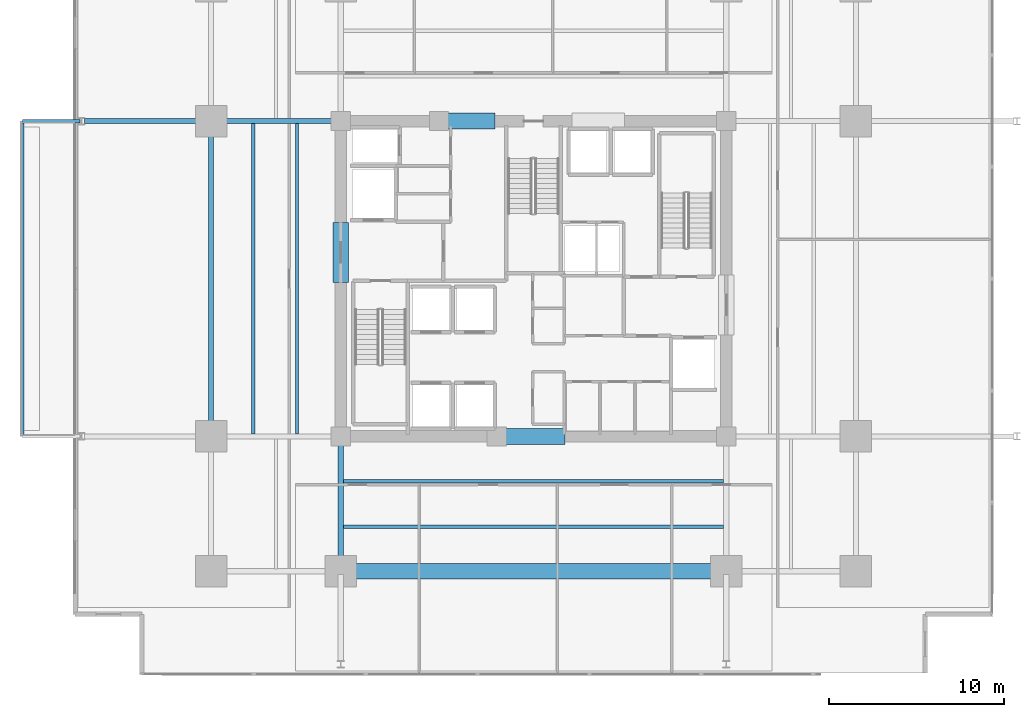
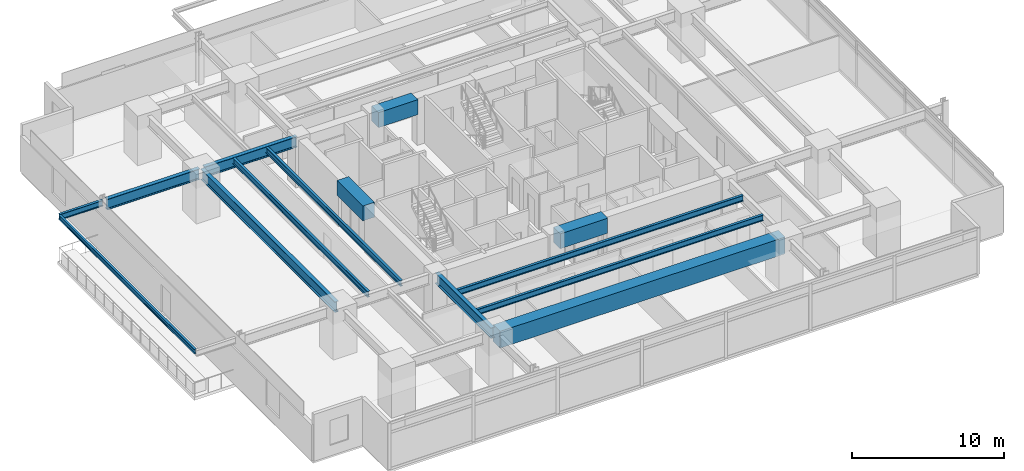
# One storey, part 5 of 20: 14 beams.
"""IFC4 building model written with IfcOpenShell, lengths in metres."""

import ifcopenshell
import ifcopenshell.guid

model = None  # the IFC model being written
_history = None  # IfcOwnerHistory: only IFC2X3 demands one
_inside = {}  # id of a spatial element -> (the spatial element, [elements in it])
_under = {}  # id of a project, library or spatial element -> (it, [spatial elements below it])
_declared = {}  # id of a project -> (the project, [libraries it declares])
_typed = {}  # id of a type object -> (the type object, [elements of that type])
_made_of = {}  # id of a material, layer set ... -> (it, [elements and type objects made of it])


def new_model(schema):
    """Start an empty IFC model of exactly this schema.

    Asked for "IFC4X3", IfcOpenShell would pick the latest addendum, in which some entities
    have other attributes; the version numbers below select the first issue.
    IFC2X3 requires an IfcOwnerHistory on every rooted entity: one is made here for all.
    """
    global model, _history
    if schema == "IFC4X3":
        model = ifcopenshell.file(schema_version=(4, 3, 0, 0))
    else:
        model = ifcopenshell.file(schema=schema)
    _inside.clear()
    _under.clear()
    _declared.clear()
    _typed.clear()
    _made_of.clear()
    _history = None
    if model.schema == "IFC2X3":
        org = make("IfcOrganization", Name="unknown")
        user = make(
            "IfcPersonAndOrganization",
            ThePerson=make("IfcPerson", FamilyName="unknown"),
            TheOrganization=org,
        )
        app = make(
            "IfcApplication",
            ApplicationDeveloper=org,
            Version="unknown",
            ApplicationFullName="unknown",
            ApplicationIdentifier="unknown",
        )
        _history = make(
            "IfcOwnerHistory",
            OwningUser=user,
            OwningApplication=app,
            ChangeAction="ADDED",
            CreationDate=0,
        )
    return model


def make(cls, **values):
    """One entity of the class cls with the attributes given. An attribute that is None is left unset."""
    return model.create_entity(
        cls, **{name: value for name, value in values.items() if value is not None}
    )


def rooted(cls, **values):
    """An entity with a GlobalId (a new one), such as an element, a storey or a relation."""
    return make(cls, GlobalId=ifcopenshell.guid.new(), OwnerHistory=_history, **values)


def si_unit(unit_type, name, prefix=None):
    """IfcSIUnit, for example si_unit("LENGTHUNIT", "METRE", prefix="MILLI")."""
    return make("IfcSIUnit", UnitType=unit_type, Prefix=prefix, Name=name)


def assignment(units):
    """IfcUnitAssignment: the units of a project."""
    return None if units is None else make("IfcUnitAssignment", Units=units)


def point(xyz):
    """IfcCartesianPoint."""
    return None if xyz is None else make("IfcCartesianPoint", Coordinates=xyz)


def direction(xyz):
    """IfcDirection."""
    return None if xyz is None else make("IfcDirection", DirectionRatios=xyz)


def frame(location, z_axis=None, x_axis=None):
    """IfcAxis2Placement3D, a coordinate frame: its origin and axes. An axis left out is left unset."""
    return make(
        "IfcAxis2Placement3D",
        Location=point(location),
        Axis=direction(z_axis),
        RefDirection=direction(x_axis),
    )


def frame_2d(location, x_axis=None):
    """IfcAxis2Placement2D, a coordinate frame in the plane: its origin and x axis."""
    return make(
        "IfcAxis2Placement2D", Location=point(location), RefDirection=direction(x_axis)
    )


def origin():
    """The frame at (0, 0, 0) with its axes left unset."""
    return frame((0.0, 0.0, 0.0))


def origin_2d():
    """The frame at (0, 0) in the plane with its x axis left unset."""
    return frame_2d((0.0, 0.0))


def place(relative_to, where):
    """IfcLocalPlacement: puts the frame where relative to a parent placement (None: the world)."""
    return make(
        "IfcLocalPlacement", PlacementRelTo=relative_to, RelativePlacement=where
    )


def context(
    kind, dimensions, precision=None, world=None, true_north=None, identifier=None
):
    """IfcGeometricRepresentationContext, for example the 3D "Model" context."""
    return make(
        "IfcGeometricRepresentationContext",
        ContextIdentifier=identifier,
        ContextType=kind,
        CoordinateSpaceDimension=dimensions,
        Precision=precision,
        WorldCoordinateSystem=world,
        TrueNorth=true_north,
    )


def subcontext(parent, identifier, kind, view, scale=None):
    """IfcGeometricRepresentationSubContext, for example "Body" below "Model"."""
    return make(
        "IfcGeometricRepresentationSubContext",
        ContextIdentifier=identifier,
        ContextType=kind,
        ParentContext=parent,
        TargetScale=scale,
        TargetView=view,
    )


def project(units=None, contexts=None):
    """IfcProject with its units and contexts."""
    return rooted(
        "IfcProject",
        Name="project",
        RepresentationContexts=contexts,
        UnitsInContext=assignment(units),
    )


def spatial(cls, under=None, at=None, **own):
    """A site, building, storey or space (cls), placed at a placement, below another one or the project."""
    s = rooted(cls, ObjectPlacement=at, **own)
    if under is not None:
        _under.setdefault(under.id(), (under, []))[1].append(s)
    return s


def profile(cls, at=None, kind="AREA", **sizes):
    """A parametric profile (cls). Its sizes go by their IFC names, for example OverallWidth=200.0."""
    return make(cls, ProfileType=kind, Position=at, **sizes)


def rectangle(**sizes):
    """IfcRectangleProfileDef."""
    return profile("IfcRectangleProfileDef", **sizes)


def i_section(**sizes):
    """IfcIShapeProfileDef."""
    return profile("IfcIShapeProfileDef", **sizes)


def extrude(swept, where, along, depth):
    """IfcExtrudedAreaSolid: the profile swept, set in the frame where, extruded along a direction by depth."""
    return make(
        "IfcExtrudedAreaSolid",
        SweptArea=swept,
        Position=where,
        ExtrudedDirection=direction(along),
        Depth=depth,
    )


def shape(context_of_items, identifier, shape_type, items):
    """IfcShapeRepresentation: the items that make up one representation, for example the "Body"."""
    return make(
        "IfcShapeRepresentation",
        ContextOfItems=context_of_items,
        RepresentationIdentifier=identifier,
        RepresentationType=shape_type,
        Items=items,
    )


def material(Name=None, Category=None):
    """IfcMaterial."""
    return make("IfcMaterial", Name=Name, Category=Category)


def material_profile(
    of_material, cross_section, Name=None, Category=None, Priority=None
):
    """IfcMaterialProfile: a cross section and its material."""
    return make(
        "IfcMaterialProfile",
        Name=Name,
        Material=of_material,
        Profile=cross_section,
        Priority=Priority,
        Category=Category,
    )


def profile_set(profiles, Name=None, composite=None):
    """IfcMaterialProfileSet."""
    return make(
        "IfcMaterialProfileSet",
        Name=Name,
        MaterialProfiles=profiles,
        CompositeProfile=composite,
    )


def made_of(thing, what):
    """Note that an element or type object is made of a material, layer set ...; save() writes the relation."""
    if what is not None:
        _made_of.setdefault(what.id(), (what, []))[1].append(thing)
    return thing


def type_object(cls, material=None, **own):
    """A type object (cls), such as IfcWallType, which elements share."""
    return made_of(rooted(cls, **own), material)


def element(
    cls,
    number,
    at=None,
    inside=None,
    cuts=None,
    type_object=None,
    material=None,
    context=None,
    identifier="Body",
    shape_type=None,
    held_by="IfcProductDefinitionShape",
    body=None,
    shapes=None,
    **own,
):
    """One element of the class cls, such as IfcWall. Its Tag is "e" and its number.

    at: its placement. inside: the storey or other place that contains it. cuts: it is an
    opening in that element (IfcRelVoidsElement). A single representation is given by context,
    identifier, shape_type and body (its items); several are given by shapes. held_by: the class
    of the entity that holds the representations. save() writes the other relations.
    """
    e = rooted(cls, Tag="e%d" % number, ObjectPlacement=at, **own)
    if body is not None:
        shapes = [shape(context, identifier, shape_type, body)]
    if shapes is not None:
        e.Representation = make(held_by, Representations=shapes)
    if inside is not None:
        _inside.setdefault(inside.id(), (inside, []))[1].append(e)
    if cuts is not None:
        rooted(
            "IfcRelVoidsElement", RelatingBuildingElement=cuts, RelatedOpeningElement=e
        )
    if type_object is not None:
        _typed.setdefault(type_object.id(), (type_object, []))[1].append(e)
    return made_of(e, material)


def aggregate(whole, parts):
    """IfcRelAggregates: a whole, such as a stair, and the parts it consists of."""
    return rooted("IfcRelAggregates", RelatingObject=whole, RelatedObjects=parts)


def save(model, path):
    """Write the relations noted so far, then the file.

    IfcRelAggregates (storeys below a building ...), IfcRelContainedInSpatialStructure (elements
    in a storey), IfcRelDefinesByType, IfcRelAssociatesMaterial and IfcRelDeclares: one each for
    every whole, place, type object, material and project.
    """
    for whole, parts in _under.values():
        aggregate(whole, parts)
    for where, things in _inside.values():
        rooted(
            "IfcRelContainedInSpatialStructure",
            RelatedElements=things,
            RelatingStructure=where,
        )
    for kind, things in _typed.values():
        rooted("IfcRelDefinesByType", RelatedObjects=things, RelatingType=kind)
    for what, things in _made_of.values():
        rooted("IfcRelAssociatesMaterial", RelatedObjects=things, RelatingMaterial=what)
    for by, libraries in _declared.values():
        rooted("IfcRelDeclares", RelatingContext=by, RelatedDefinitions=libraries)
    model.write(path)


model = new_model("IFC4")

# Units and contexts
model_context = context("Model", 3, precision=1e-05, world=origin(), true_north=direction((0.0, 1.0)))
body_context = subcontext(model_context, "Body", "Model", "MODEL_VIEW")
ifc_project = project(units=[si_unit("LENGTHUNIT", "METRE"), si_unit("AREAUNIT", "SQUARE_METRE"), si_unit("VOLUMEUNIT", "CUBIC_METRE"), si_unit("PLANEANGLEUNIT", "RADIAN"), si_unit("MASSUNIT", "GRAM", prefix="KILO")], contexts=[model_context])

# Site, building, storey
site_placement = place(None, origin())
site = spatial("IfcSite", under=ifc_project, at=site_placement, CompositionType="ELEMENT")
building_placement = place(site_placement, origin())
building = spatial("IfcBuilding", under=site, at=building_placement, Name="Kovane Verandah Tower", CompositionType="ELEMENT")
storey_placement = place(building_placement, frame((0.0, 0.0, 75.60009765625)))
storey = spatial("IfcBuildingStorey", under=building, at=storey_placement, Name="L17", CompositionType="ELEMENT", Elevation=75.60009765625)

# Beams
ifc_material_1 = material(Name="Concrete C80/95", Category="concrete")
ifc_material_profile_1 = material_profile(ifc_material_1, rectangle(XDim=0.89990234375, YDim=1.199951171875, at=origin_2d()), Name="RCB900x1200")
ifc_profile_set_1 = profile_set([ifc_material_profile_1], Name="Concrete C80/95")
beam_type_1 = type_object("IfcBeamType", Name="BM-LINTEL-900x1200", PredefinedType="LINTEL", material=ifc_profile_set_1)
beam_1_placement = place(storey_placement, frame((38.199951171875, 18.5, 3.159912109375), z_axis=(1.0, 0.0, 0.0), x_axis=(0.0, 1.0, 0.0)))
element("IfcBeam", 1, at=beam_1_placement, inside=storey, type_object=beam_type_1, Name="L17 Core Coupling Lintel CL-S", PredefinedType="LINTEL", context=body_context, shape_type="SweptSolid", body=[
    extrude(rectangle(XDim=0.89990234375, YDim=1.199951171875, at=origin_2d()), origin(), (0.0, 0.0, 1.0), 3.60009765625),
])
beam_2_placement = place(storey_placement, frame((34.800048828125, 36.5, 3.159912109375), z_axis=(1.0, 0.0, 0.0), x_axis=(0.0, 1.0, 0.0)))
element("IfcBeam", 2, at=beam_2_placement, inside=storey, type_object=beam_type_1, Name="L17 Core Coupling Lintel CL-N1", PredefinedType="LINTEL", context=body_context, shape_type="SweptSolid", body=[
    extrude(rectangle(XDim=0.89990234375, YDim=1.199951171875, at=origin_2d()), origin(), (0.0, 0.0, 1.0), 3.0),
])
beam_3_placement = place(storey_placement, frame((29.0, 27.300048828125, 3.159912109375), z_axis=(0.0, 1.0, 0.0), x_axis=(-1.0, 0.0, 0.0)))
element("IfcBeam", 3, at=beam_3_placement, inside=storey, type_object=beam_type_1, Name="L17 Core Coupling Lintel CL-W", PredefinedType="LINTEL", context=body_context, shape_type="SweptSolid", body=[
    extrude(rectangle(XDim=0.89990234375, YDim=1.199951171875, at=origin_2d()), origin(), (0.0, 0.0, 1.0), 3.39990234375),
])
ifc_material_profile_2 = material_profile(ifc_material_1, rectangle(XDim=0.89990234375, YDim=1.35009765625, at=origin_2d()), Name="RCB900x1350")
ifc_profile_set_2 = profile_set([ifc_material_profile_2], Name="Concrete C80/95")
beam_type_2 = type_object("IfcBeamType", Name="BM-TR-900x1350", PredefinedType="BEAM", material=ifc_profile_set_2)
beam_4_placement = place(storey_placement, frame((29.179931640625, 10.800048828125, 3.0849609375), z_axis=(1.0, 0.0, 0.0), x_axis=(0.0, 1.0, 0.0)))
element("IfcBeam", 4, at=beam_4_placement, inside=storey, type_object=beam_type_2, Name="L17 Primary Tower Girder G-RS2", PredefinedType="BEAM", context=body_context, shape_type="SweptSolid", body=[
    extrude(rectangle(XDim=0.89990234375, YDim=1.35009765625, at=origin_2d()), origin(), (0.0, 0.0, 1.0), 21.64013671875),
])
ifc_material_2 = material(Name="Steel S355", Category="steel")
ifc_material_profile_3 = material_profile(ifc_material_2, i_section(OverallWidth=0.293701171875, OverallDepth=0.850830078125, WebThickness=0.01611328125, FlangeThickness=0.02685546875, FilletRadius=0.017822265625, at=origin_2d()), Name="UB838x292x226")
ifc_profile_set_3 = profile_set([ifc_material_profile_3], Name="Steel S355")
beam_type_3 = type_object("IfcBeamType", Name="BM-UB838x226", PredefinedType="BEAM", material=ifc_profile_set_3)
beam_5_placement = place(storey_placement, frame((21.60009765625, 18.679931640625, 3.33447265625), z_axis=(0.0, 1.0, 0.0), x_axis=(-1.0, 0.0, 0.0)))
element("IfcBeam", 5, at=beam_5_placement, inside=storey, type_object=beam_type_3, Name="L17 Primary Tower Girder G-RW2", PredefinedType="BEAM", context=body_context, shape_type="SweptSolid", body=[
    extrude(i_section(OverallWidth=0.293701171875, OverallDepth=0.850830078125, WebThickness=0.01611328125, FlangeThickness=0.02685546875, FilletRadius=0.017822265625, at=origin_2d()), origin(), (0.0, 0.0, 1.0), 17.64013671875),
])
beam_6_placement = place(storey_placement, frame((28.820068359375, 36.5, 3.33447265625), z_axis=(-1.0, 0.0, 0.0), x_axis=(0.0, -1.0, 0.0)))
element("IfcBeam", 6, at=beam_6_placement, inside=storey, type_object=beam_type_3, Name="L17 Primary Tower Girder G-W2", PredefinedType="BEAM", context=body_context, shape_type="SweptSolid", body=[
    extrude(i_section(OverallWidth=0.293701171875, OverallDepth=0.850830078125, WebThickness=0.01611328125, FlangeThickness=0.02685546875, FilletRadius=0.017822265625, at=origin_2d()), origin(), (0.0, 0.0, 1.0), 7.0400390625),
])
beam_7_placement = place(storey_placement, frame((29.0, 18.320068359375, 3.33447265625), z_axis=(0.0, -1.0, 0.0), x_axis=(1.0, 0.0, 0.0)))
element("IfcBeam", 7, at=beam_7_placement, inside=storey, type_object=beam_type_3, Name="L17 Primary Tower Girder G-S1", PredefinedType="BEAM", context=body_context, shape_type="SweptSolid", body=[
    extrude(i_section(OverallWidth=0.293701171875, OverallDepth=0.850830078125, WebThickness=0.01611328125, FlangeThickness=0.02685546875, FilletRadius=0.017822265625, at=origin_2d()), origin(), (0.0, 0.0, 1.0), 7.340087890625),
])
beam_8_placement = place(storey_placement, frame((21.419921875, 36.5, 3.33447265625), z_axis=(-1.0, 0.0, 0.0), x_axis=(0.0, -1.0, 0.0)))
element("IfcBeam", 8, at=beam_8_placement, inside=storey, type_object=beam_type_3, Name="L17 Primary Tower Girder G-VW2", PredefinedType="BEAM", context=body_context, shape_type="SweptSolid", body=[
    extrude(i_section(OverallWidth=0.293701171875, OverallDepth=0.850830078125, WebThickness=0.01611328125, FlangeThickness=0.02685546875, FilletRadius=0.017822265625, at=origin_2d()), origin(), (0.0, 0.0, 1.0), 7.0400390625),
])
ifc_material_profile_4 = material_profile(ifc_material_2, i_section(OverallWidth=0.19287109375, OverallDepth=0.46728515625, WebThickness=0.011474609375, FlangeThickness=0.01953125, FilletRadius=0.01025390625, at=origin_2d()), Name="UB457x191x98")
ifc_profile_set_4 = profile_set([ifc_material_profile_4], Name="Steel S355")
beam_type_4 = type_object("IfcBeamType", Name="JST-UB457x98", PredefinedType="JOIST", material=ifc_profile_set_4)
for number, where, z_axis, x_axis, name in (
    (9, (29.14501953125, 13.35009765625, 3.5263671875), (1.0, 0.0, 0.0), (0.0, 1.0, 0.0), "L17 Secondary Composite Joist J-S1"),
    (10, (29.14501953125, 15.949951171875, 3.5263671875), (1.0, 0.0, 0.0), (0.0, 1.0, 0.0), "L17 Secondary Composite Joist J-S2"),
):
    element("IfcBeam", number, at=place(storey_placement, frame(where, z_axis=z_axis, x_axis=x_axis)), inside=storey, type_object=beam_type_4, Name=name, PredefinedType="JOIST", context=body_context, shape_type="SweptSolid", body=[
        extrude(i_section(OverallWidth=0.19287109375, OverallDepth=0.46728515625, WebThickness=0.011474609375, FlangeThickness=0.01953125, FilletRadius=0.01025390625, at=origin_2d()), origin(), (0.0, 0.0, 1.0), 21.7099609375),
    ])
for number, where, z_axis, x_axis, name in (
    (11, (24.0, 18.64501953125, 3.5263671875), (0.0, 1.0, 0.0), (-1.0, 0.0, 0.0), "L17 Secondary Composite Joist J-W1"),
    (12, (26.5, 18.64501953125, 3.5263671875), (0.0, 1.0, 0.0), (-1.0, 0.0, 0.0), "L17 Secondary Composite Joist J-W2"),
):
    element("IfcBeam", number, at=place(storey_placement, frame(where, z_axis=z_axis, x_axis=x_axis)), inside=storey, type_object=beam_type_4, Name=name, PredefinedType="JOIST", context=body_context, shape_type="SweptSolid", body=[
        extrude(i_section(OverallWidth=0.19287109375, OverallDepth=0.46728515625, WebThickness=0.011474609375, FlangeThickness=0.01953125, FilletRadius=0.01025390625, at=origin_2d()), origin(), (0.0, 0.0, 1.0), 17.7099609375),
    ])
beam_9_placement = place(storey_placement, frame((14.1201171875, 36.5, 3.5263671875), z_axis=(-1.0, 0.0, 0.0), x_axis=(0.0, -1.0, 0.0)))
element("IfcBeam", 13, at=beam_9_placement, inside=storey, type_object=beam_type_4, Name="L17 West Planter Girder 2", PredefinedType="JOIST", context=body_context, shape_type="SweptSolid", body=[
    extrude(i_section(OverallWidth=0.19287109375, OverallDepth=0.46728515625, WebThickness=0.011474609375, FlangeThickness=0.01953125, FilletRadius=0.01025390625, at=origin_2d()), origin(), (0.0, 0.0, 1.0), 3.298828125),
])
ifc_material_profile_5 = material_profile(ifc_material_2, i_section(OverallWidth=0.173095703125, OverallDepth=0.36328125, WebThickness=0.009033203125, FlangeThickness=0.015625, FilletRadius=0.01025390625, at=origin_2d()), Name="UB356x171x67")
ifc_profile_set_5 = profile_set([ifc_material_profile_5], Name="Steel S355")
beam_type_5 = type_object("IfcBeamType", Name="SPD-UB356x67", PredefinedType="USERDEFINED", material=ifc_profile_set_5)
beam_10_placement = place(storey_placement, frame((10.8212890625, 18.594482421875, 3.578125), z_axis=(0.0, 1.0, 0.0), x_axis=(-1.0, 0.0, 0.0)))
element("IfcBeam", 14, at=beam_10_placement, inside=storey, type_object=beam_type_5, Name="L17 West Planter Edge Spandrel", ObjectType="SPANDREL", PredefinedType="USERDEFINED", context=body_context, shape_type="SweptSolid", body=[
    extrude(i_section(OverallWidth=0.173095703125, OverallDepth=0.36328125, WebThickness=0.009033203125, FlangeThickness=0.015625, FilletRadius=0.01025390625, at=origin_2d()), origin(), (0.0, 0.0, 1.0), 17.81103515625),
])

save(model, "model.ifc")
